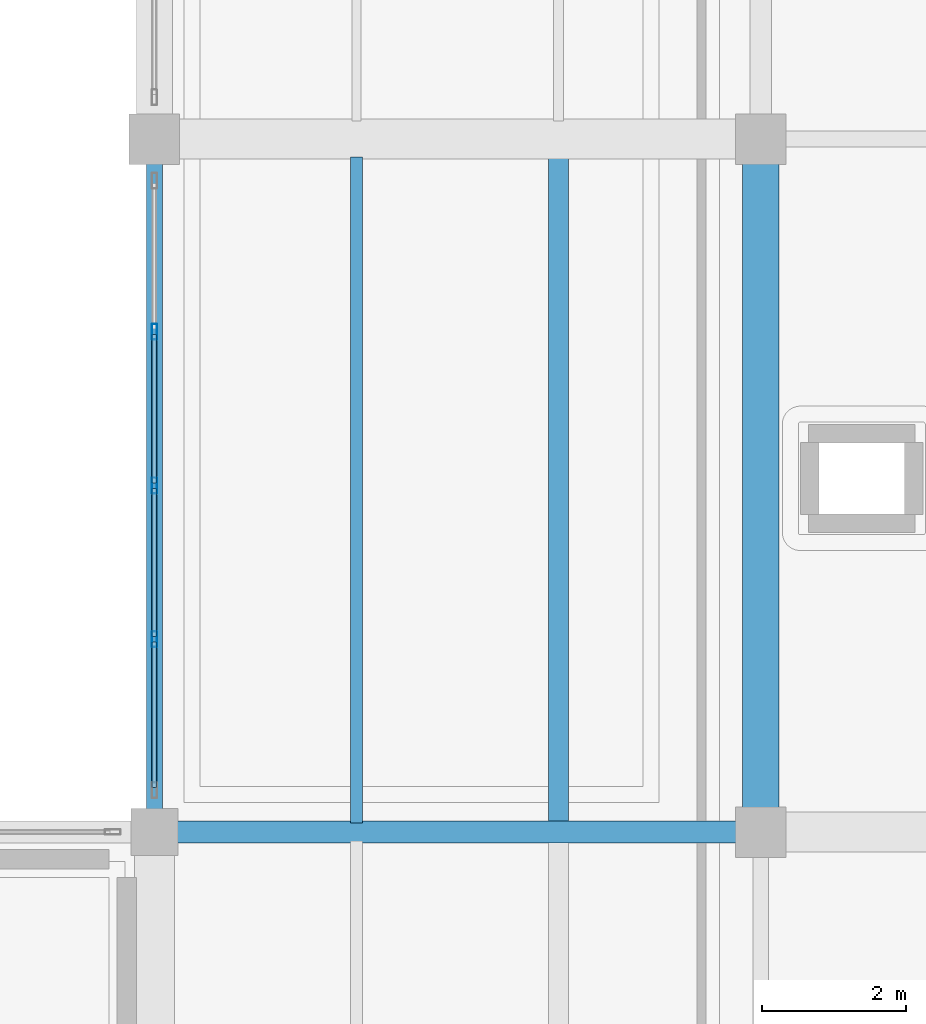
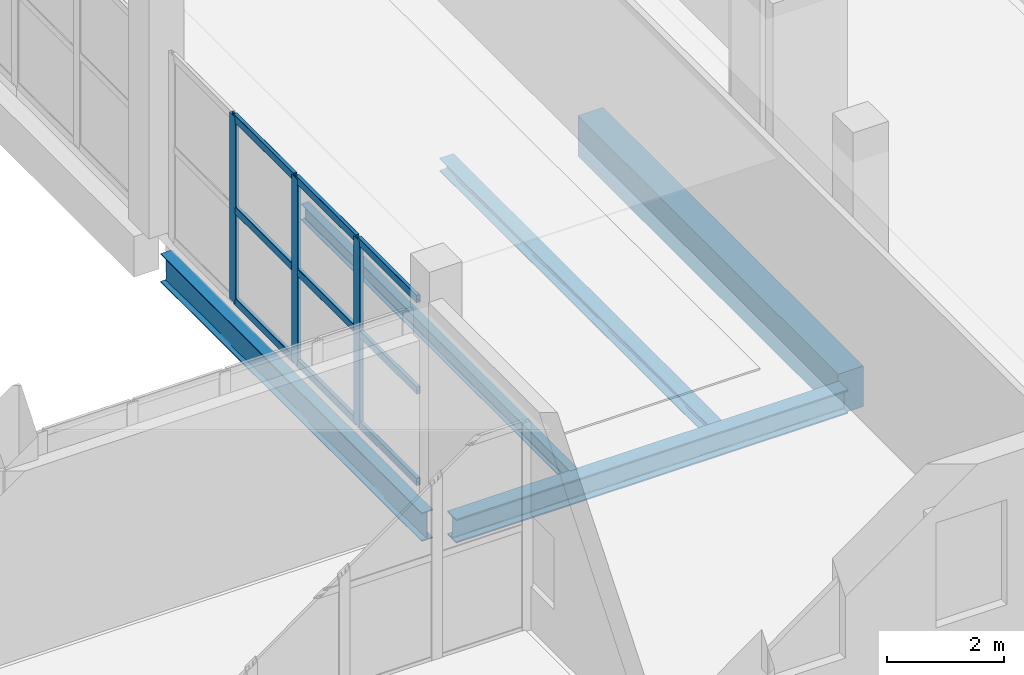
# One storey, part 23 of 73: 12 members, 5 beams, 1 element without a shape of its own.
"""IFC4 building model written with IfcOpenShell, lengths in metres."""

import ifcopenshell
import ifcopenshell.guid

model = None  # the IFC model being written
_history = None  # IfcOwnerHistory: only IFC2X3 demands one
_inside = {}  # id of a spatial element -> (the spatial element, [elements in it])
_under = {}  # id of a project, library or spatial element -> (it, [spatial elements below it])
_declared = {}  # id of a project -> (the project, [libraries it declares])
_typed = {}  # id of a type object -> (the type object, [elements of that type])
_made_of = {}  # id of a material, layer set ... -> (it, [elements and type objects made of it])


def new_model(schema):
    """Start an empty IFC model of exactly this schema.

    Asked for "IFC4X3", IfcOpenShell would pick the latest addendum, in which some entities
    have other attributes; the version numbers below select the first issue.
    IFC2X3 requires an IfcOwnerHistory on every rooted entity: one is made here for all.
    """
    global model, _history
    if schema == "IFC4X3":
        model = ifcopenshell.file(schema_version=(4, 3, 0, 0))
    else:
        model = ifcopenshell.file(schema=schema)
    _inside.clear()
    _under.clear()
    _declared.clear()
    _typed.clear()
    _made_of.clear()
    _history = None
    if model.schema == "IFC2X3":
        org = make("IfcOrganization", Name="unknown")
        user = make(
            "IfcPersonAndOrganization",
            ThePerson=make("IfcPerson", FamilyName="unknown"),
            TheOrganization=org,
        )
        app = make(
            "IfcApplication",
            ApplicationDeveloper=org,
            Version="unknown",
            ApplicationFullName="unknown",
            ApplicationIdentifier="unknown",
        )
        _history = make(
            "IfcOwnerHistory",
            OwningUser=user,
            OwningApplication=app,
            ChangeAction="ADDED",
            CreationDate=0,
        )
    return model


def make(cls, **values):
    """One entity of the class cls with the attributes given. An attribute that is None is left unset."""
    return model.create_entity(
        cls, **{name: value for name, value in values.items() if value is not None}
    )


def rooted(cls, **values):
    """An entity with a GlobalId (a new one), such as an element, a storey or a relation."""
    return make(cls, GlobalId=ifcopenshell.guid.new(), OwnerHistory=_history, **values)


def si_unit(unit_type, name, prefix=None):
    """IfcSIUnit, for example si_unit("LENGTHUNIT", "METRE", prefix="MILLI")."""
    return make("IfcSIUnit", UnitType=unit_type, Prefix=prefix, Name=name)


def assignment(units):
    """IfcUnitAssignment: the units of a project."""
    return None if units is None else make("IfcUnitAssignment", Units=units)


def point(xyz):
    """IfcCartesianPoint."""
    return None if xyz is None else make("IfcCartesianPoint", Coordinates=xyz)


def direction(xyz):
    """IfcDirection."""
    return None if xyz is None else make("IfcDirection", DirectionRatios=xyz)


def frame(location, z_axis=None, x_axis=None):
    """IfcAxis2Placement3D, a coordinate frame: its origin and axes. An axis left out is left unset."""
    return make(
        "IfcAxis2Placement3D",
        Location=point(location),
        Axis=direction(z_axis),
        RefDirection=direction(x_axis),
    )


def frame_2d(location, x_axis=None):
    """IfcAxis2Placement2D, a coordinate frame in the plane: its origin and x axis."""
    return make(
        "IfcAxis2Placement2D", Location=point(location), RefDirection=direction(x_axis)
    )


def origin():
    """The frame at (0, 0, 0) with its axes left unset."""
    return frame((0.0, 0.0, 0.0))


def origin_2d():
    """The frame at (0, 0) in the plane with its x axis left unset."""
    return frame_2d((0.0, 0.0))


def place(relative_to, where):
    """IfcLocalPlacement: puts the frame where relative to a parent placement (None: the world)."""
    return make(
        "IfcLocalPlacement", PlacementRelTo=relative_to, RelativePlacement=where
    )


def context(
    kind, dimensions, precision=None, world=None, true_north=None, identifier=None
):
    """IfcGeometricRepresentationContext, for example the 3D "Model" context."""
    return make(
        "IfcGeometricRepresentationContext",
        ContextIdentifier=identifier,
        ContextType=kind,
        CoordinateSpaceDimension=dimensions,
        Precision=precision,
        WorldCoordinateSystem=world,
        TrueNorth=true_north,
    )


def subcontext(parent, identifier, kind, view, scale=None):
    """IfcGeometricRepresentationSubContext, for example "Body" below "Model"."""
    return make(
        "IfcGeometricRepresentationSubContext",
        ContextIdentifier=identifier,
        ContextType=kind,
        ParentContext=parent,
        TargetScale=scale,
        TargetView=view,
    )


def project(units=None, contexts=None):
    """IfcProject with its units and contexts."""
    return rooted(
        "IfcProject",
        Name="project",
        RepresentationContexts=contexts,
        UnitsInContext=assignment(units),
    )


def spatial(cls, under=None, at=None, **own):
    """A site, building, storey or space (cls), placed at a placement, below another one or the project."""
    s = rooted(cls, ObjectPlacement=at, **own)
    if under is not None:
        _under.setdefault(under.id(), (under, []))[1].append(s)
    return s


def profile(cls, at=None, kind="AREA", **sizes):
    """A parametric profile (cls). Its sizes go by their IFC names, for example OverallWidth=200.0."""
    return make(cls, ProfileType=kind, Position=at, **sizes)


def rectangle(**sizes):
    """IfcRectangleProfileDef."""
    return profile("IfcRectangleProfileDef", **sizes)


def hollow_rectangle(**sizes):
    """IfcRectangleHollowProfileDef."""
    return profile("IfcRectangleHollowProfileDef", **sizes)


def i_section(**sizes):
    """IfcIShapeProfileDef."""
    return profile("IfcIShapeProfileDef", **sizes)


def extrude(swept, where, along, depth):
    """IfcExtrudedAreaSolid: the profile swept, set in the frame where, extruded along a direction by depth."""
    return make(
        "IfcExtrudedAreaSolid",
        SweptArea=swept,
        Position=where,
        ExtrudedDirection=direction(along),
        Depth=depth,
    )


def shape(context_of_items, identifier, shape_type, items):
    """IfcShapeRepresentation: the items that make up one representation, for example the "Body"."""
    return make(
        "IfcShapeRepresentation",
        ContextOfItems=context_of_items,
        RepresentationIdentifier=identifier,
        RepresentationType=shape_type,
        Items=items,
    )


def material(Name=None, Category=None):
    """IfcMaterial."""
    return make("IfcMaterial", Name=Name, Category=Category)


def layer(
    of_material, thickness, ventilated=None, Name=None, Category=None, Priority=None
):
    """IfcMaterialLayer: one layer of a wall or slab, of a material (None: an air gap)."""
    return make(
        "IfcMaterialLayer",
        Material=of_material,
        LayerThickness=thickness,
        IsVentilated=ventilated,
        Name=Name,
        Category=Category,
        Priority=Priority,
    )


def layer_set(layers, Name=None):
    """IfcMaterialLayerSet."""
    return make("IfcMaterialLayerSet", MaterialLayers=layers, LayerSetName=Name)


def material_profile(
    of_material, cross_section, Name=None, Category=None, Priority=None
):
    """IfcMaterialProfile: a cross section and its material."""
    return make(
        "IfcMaterialProfile",
        Name=Name,
        Material=of_material,
        Profile=cross_section,
        Priority=Priority,
        Category=Category,
    )


def profile_set(profiles, Name=None, composite=None):
    """IfcMaterialProfileSet."""
    return make(
        "IfcMaterialProfileSet",
        Name=Name,
        MaterialProfiles=profiles,
        CompositeProfile=composite,
    )


def made_of(thing, what):
    """Note that an element or type object is made of a material, layer set ...; save() writes the relation."""
    if what is not None:
        _made_of.setdefault(what.id(), (what, []))[1].append(thing)
    return thing


def type_object(cls, material=None, **own):
    """A type object (cls), such as IfcWallType, which elements share."""
    return made_of(rooted(cls, **own), material)


def element(
    cls,
    number,
    at=None,
    inside=None,
    cuts=None,
    type_object=None,
    material=None,
    context=None,
    identifier="Body",
    shape_type=None,
    held_by="IfcProductDefinitionShape",
    body=None,
    shapes=None,
    **own,
):
    """One element of the class cls, such as IfcWall. Its Tag is "e" and its number.

    at: its placement. inside: the storey or other place that contains it. cuts: it is an
    opening in that element (IfcRelVoidsElement). A single representation is given by context,
    identifier, shape_type and body (its items); several are given by shapes. held_by: the class
    of the entity that holds the representations. save() writes the other relations.
    """
    e = rooted(cls, Tag="e%d" % number, ObjectPlacement=at, **own)
    if body is not None:
        shapes = [shape(context, identifier, shape_type, body)]
    if shapes is not None:
        e.Representation = make(held_by, Representations=shapes)
    if inside is not None:
        _inside.setdefault(inside.id(), (inside, []))[1].append(e)
    if cuts is not None:
        rooted(
            "IfcRelVoidsElement", RelatingBuildingElement=cuts, RelatedOpeningElement=e
        )
    if type_object is not None:
        _typed.setdefault(type_object.id(), (type_object, []))[1].append(e)
    return made_of(e, material)


def aggregate(whole, parts):
    """IfcRelAggregates: a whole, such as a stair, and the parts it consists of."""
    return rooted("IfcRelAggregates", RelatingObject=whole, RelatedObjects=parts)


def save(model, path):
    """Write the relations noted so far, then the file.

    IfcRelAggregates (storeys below a building ...), IfcRelContainedInSpatialStructure (elements
    in a storey), IfcRelDefinesByType, IfcRelAssociatesMaterial and IfcRelDeclares: one each for
    every whole, place, type object, material and project.
    """
    for whole, parts in _under.values():
        aggregate(whole, parts)
    for where, things in _inside.values():
        rooted(
            "IfcRelContainedInSpatialStructure",
            RelatedElements=things,
            RelatingStructure=where,
        )
    for kind, things in _typed.values():
        rooted("IfcRelDefinesByType", RelatedObjects=things, RelatingType=kind)
    for what, things in _made_of.values():
        rooted("IfcRelAssociatesMaterial", RelatedObjects=things, RelatingMaterial=what)
    for by, libraries in _declared.values():
        rooted("IfcRelDeclares", RelatingContext=by, RelatedDefinitions=libraries)
    model.write(path)


model = new_model("IFC4")

# Units and contexts
model_context = context("Model", 3, precision=1e-05, world=origin(), true_north=direction((0.0, 1.0)))
body_context = subcontext(model_context, "Body", "Model", "MODEL_VIEW")
ifc_project = project(units=[si_unit("LENGTHUNIT", "METRE"), si_unit("AREAUNIT", "SQUARE_METRE"), si_unit("VOLUMEUNIT", "CUBIC_METRE"), si_unit("PLANEANGLEUNIT", "RADIAN"), si_unit("MASSUNIT", "GRAM", prefix="KILO")], contexts=[model_context])

# Site, building, storey
site_placement = place(None, origin())
site = spatial("IfcSite", under=ifc_project, at=site_placement, CompositionType="ELEMENT")
building_placement = place(site_placement, origin())
building = spatial("IfcBuilding", under=site, at=building_placement, Name="Zulmaris Art Gallery", CompositionType="ELEMENT")
storey_placement = place(building_placement, frame((0.0, 0.0, 10.5)))
storey = spatial("IfcBuildingStorey", under=building, at=storey_placement, Name="L02", CompositionType="ELEMENT", Elevation=10.5)

# Beams
ifc_material_1 = material(Name="Steel S355J2", Category="steel")
ifc_material_profile_1 = material_profile(ifc_material_1, i_section(OverallWidth=0.219970703125, OverallDepth=0.60009765625, WebThickness=0.011962890625, FlangeThickness=0.01904296875, FilletRadius=0.02392578125, at=origin_2d()), Name="IPE 600")
ifc_profile_set_1 = profile_set([ifc_material_profile_1], Name="Steel S355J2")
beam_type_1 = type_object("IfcBeamType", Name="BEAM-BM07", PredefinedType="BEAM", material=ifc_profile_set_1)
beam_1_placement = place(storey_placement, frame((124.800048828125, 21.909912109375, -0.695068359375), z_axis=(0.0, 1.0, 0.0), x_axis=(-1.0, 0.0, 0.0)))
element("IfcBeam", 1, at=beam_1_placement, inside=storey, type_object=beam_type_1, Name="L02 Y-girder (x=124.8, 21.6..31.2)", PredefinedType="BEAM", context=body_context, shape_type="SweptSolid", body=[
    extrude(i_section(OverallWidth=0.219970703125, OverallDepth=0.60009765625, WebThickness=0.011962890625, FlangeThickness=0.01904296875, FilletRadius=0.02392578125, at=origin_2d()), origin(), (0.0, 0.0, 1.0), 8.955078125),
])
ifc_material_profile_2 = material_profile(ifc_material_1, i_section(OverallWidth=0.300048828125, OverallDepth=0.5, WebThickness=0.014404296875, FlangeThickness=0.028076171875, FilletRadius=0.027099609375, at=origin_2d()), Name="HEB 500")
ifc_profile_set_2 = profile_set([ifc_material_profile_2], Name="Steel S355J2")
beam_type_2 = type_object("IfcBeamType", Name="BEAM-BM14", PredefinedType="BEAM", material=ifc_profile_set_2)
beam_2_placement = place(storey_placement, frame((125.110107421875, 21.60009765625, -0.64990234375), z_axis=(1.0, 0.0, 0.0), x_axis=(0.0, 1.0, 0.0)))
element("IfcBeam", 2, at=beam_2_placement, inside=storey, type_object=beam_type_2, Name="L02 X-girder (124.8..133.2, y=21.6)", PredefinedType="BEAM", context=body_context, shape_type="SweptSolid", body=[
    extrude(i_section(OverallWidth=0.300048828125, OverallDepth=0.5, WebThickness=0.014404296875, FlangeThickness=0.028076171875, FilletRadius=0.027099609375, at=origin_2d()), origin(), (0.0, 0.0, 1.0), 7.7548828125),
])
ifc_material_2 = material(Name="Concrete C40/50", Category="concrete")
ifc_material_profile_3 = material_profile(ifc_material_2, rectangle(XDim=0.5, YDim=0.85009765625, at=origin_2d()), Name="RC 500x850")
ifc_profile_set_3 = profile_set([ifc_material_profile_3], Name="Concrete C40/50")
beam_type_3 = type_object("IfcBeamType", Name="BEAM-BM26", PredefinedType="BEAM", material=ifc_profile_set_3)
beam_3_placement = place(storey_placement, frame((133.199951171875, 21.93505859375, -0.824951171875), z_axis=(0.0, 1.0, 0.0), x_axis=(-1.0, 0.0, 0.0)))
element("IfcBeam", 3, at=beam_3_placement, inside=storey, type_object=beam_type_3, Name="L02 Y-girder (x=133.2, 21.6..31.2)", PredefinedType="BEAM", context=body_context, shape_type="SweptSolid", body=[
    extrude(rectangle(XDim=0.5, YDim=0.85009765625, at=origin_2d()), origin(), (0.0, 0.0, 1.0), 8.929931640625),
])
ifc_material_profile_4 = material_profile(ifc_material_1, i_section(OverallWidth=0.159912109375, OverallDepth=0.330078125, WebThickness=0.007568359375, FlangeThickness=0.011474609375, FilletRadius=0.01806640625, at=origin_2d()), Name="IPE 330")
ifc_profile_set_4 = profile_set([ifc_material_profile_4], Name="Steel S355J2")
beam_type_4 = type_object("IfcBeamType", Name="BEAM-JS03", PredefinedType="JOIST", material=ifc_profile_set_4)
beam_4_placement = place(storey_placement, frame((127.60009765625, 21.72509765625, -0.56494140625), z_axis=(0.0, 1.0, 0.0), x_axis=(-1.0, 0.0, 0.0)))
element("IfcBeam", 4, at=beam_4_placement, inside=storey, type_object=beam_type_4, Name="L02 secondary joist at x=127.6", PredefinedType="JOIST", context=body_context, shape_type="SweptSolid", body=[
    extrude(i_section(OverallWidth=0.159912109375, OverallDepth=0.330078125, WebThickness=0.007568359375, FlangeThickness=0.011474609375, FilletRadius=0.01806640625, at=origin_2d()), origin(), (0.0, 0.0, 1.0), 9.224853515625),
])
ifc_material_profile_5 = material_profile(ifc_material_1, i_section(OverallWidth=0.280029296875, OverallDepth=0.27001953125, WebThickness=0.008056640625, FlangeThickness=0.012939453125, FilletRadius=0.02392578125, at=origin_2d()), Name="HEA 280")
ifc_profile_set_5 = profile_set([ifc_material_profile_5], Name="Steel S355J2")
beam_type_5 = type_object("IfcBeamType", Name="BEAM-JS04", PredefinedType="JOIST", material=ifc_profile_set_5)
beam_5_placement = place(storey_placement, frame((130.39990234375, 21.72509765625, -0.534912109375), z_axis=(0.0, 1.0, 0.0), x_axis=(-1.0, 0.0, 0.0)))
element("IfcBeam", 5, at=beam_5_placement, inside=storey, type_object=beam_type_5, Name="L02 secondary joist at x=130.4", PredefinedType="JOIST", context=body_context, shape_type="SweptSolid", body=[
    extrude(i_section(OverallWidth=0.280029296875, OverallDepth=0.27001953125, WebThickness=0.008056640625, FlangeThickness=0.012939453125, FilletRadius=0.02392578125, at=origin_2d()), origin(), (0.0, 0.0, 1.0), 9.224853515625),
])

# Curtain wall, members
ifc_material_3 = material(Name="Unitised Low-E Gallery Curtain Wall", Category="aluminium")
ifc_layer = layer(ifc_material_3, 0.179931640625)
ifc_layer_set = layer_set([ifc_layer], Name="Unitised Low-E Gallery Curtain Wall")
curtain_wall_type = type_object("IfcCurtainWallType", Name="CW-CW01", PredefinedType="NOTDEFINED", material=ifc_layer_set)
curtain_wall_placement = place(storey_placement, origin())
curtain_wall = element("IfcCurtainWall", 6, at=curtain_wall_placement, inside=storey, type_object=curtain_wall_type, Name="L02 curtain wall 110", PredefinedType="NOTDEFINED")
ifc_material_4 = material(Name="Anodised Bronze Aluminium", Category="aluminium")
ifc_material_profile_6 = material_profile(ifc_material_4, hollow_rectangle(XDim=0.074951171875, YDim=0.219970703125, WallThickness=0.0048828125, InnerFilletRadius=0.007568359375, OuterFilletRadius=0.012451171875, at=origin_2d()), Name="ALU 75x220x5")
ifc_profile_set_6 = profile_set([ifc_material_profile_6], Name="Anodised Bronze Aluminium")
member_type_1 = type_object("IfcMemberType", Name="CWMUL-02", PredefinedType="MULLION", material=ifc_profile_set_6)
member_1_placement = place(storey_placement, frame((124.800048828125, 24.27001953125, 0.0), z_axis=(0.0, 0.0, 1.0), x_axis=(-1.0, 0.0, 0.0)))
member_1 = element("IfcMember", 7, at=member_1_placement, type_object=member_type_1, Name="CW01 mullion 2", PredefinedType="MULLION", context=body_context, shape_type="SweptSolid", body=[
    extrude(hollow_rectangle(XDim=0.074951171875, YDim=0.219970703125, WallThickness=0.0048828125, InnerFilletRadius=0.007568359375, OuterFilletRadius=0.012451171875, at=origin_2d()), origin(), (0.0, 0.0, 1.0), 3.89990234375),
])
member_2_placement = place(storey_placement, frame((124.800048828125, 26.39990234375, 0.0), z_axis=(0.0, 0.0, 1.0), x_axis=(-1.0, 0.0, 0.0)))
member_2 = element("IfcMember", 8, at=member_2_placement, type_object=member_type_1, Name="CW01 mullion 3", PredefinedType="MULLION", context=body_context, shape_type="SweptSolid", body=[
    extrude(hollow_rectangle(XDim=0.074951171875, YDim=0.219970703125, WallThickness=0.0048828125, InnerFilletRadius=0.007568359375, OuterFilletRadius=0.012451171875, at=origin_2d()), origin(), (0.0, 0.0, 1.0), 3.89990234375),
])
member_3_placement = place(storey_placement, frame((124.800048828125, 28.530029296875, 0.0), z_axis=(0.0, 0.0, 1.0), x_axis=(-1.0, 0.0, 0.0)))
member_3 = element("IfcMember", 9, at=member_3_placement, type_object=member_type_1, Name="CW01 mullion 4", PredefinedType="MULLION", context=body_context, shape_type="SweptSolid", body=[
    extrude(hollow_rectangle(XDim=0.074951171875, YDim=0.219970703125, WallThickness=0.0048828125, InnerFilletRadius=0.007568359375, OuterFilletRadius=0.012451171875, at=origin_2d()), origin(), (0.0, 0.0, 1.0), 3.89990234375),
])
ifc_material_profile_7 = material_profile(ifc_material_4, hollow_rectangle(XDim=0.074951171875, YDim=0.159912109375, WallThickness=0.00390625, InnerFilletRadius=0.006103515625, OuterFilletRadius=0.010009765625, at=origin_2d()), Name="ALU 75x160x4")
ifc_profile_set_7 = profile_set([ifc_material_profile_7], Name="Anodised Bronze Aluminium")
member_type_2 = type_object("IfcMemberType", Name="CWTRN-02", PredefinedType="USERDEFINED", material=ifc_profile_set_7)
member_4_placement = place(storey_placement, frame((124.800048828125, 22.215087890625, 0.03759765625), z_axis=(0.0, 1.0, 0.0), x_axis=(-1.0, 0.0, 0.0)))
member_4 = element("IfcMember", 10, at=member_4_placement, type_object=member_type_2, Name="CW01 transom 1.1", ObjectType="TRANSOM", PredefinedType="USERDEFINED", context=body_context, shape_type="SweptSolid", body=[
    extrude(hollow_rectangle(XDim=0.074951171875, YDim=0.159912109375, WallThickness=0.00390625, InnerFilletRadius=0.006103515625, OuterFilletRadius=0.010009765625, at=origin_2d()), origin(), (0.0, 0.0, 1.0), 2.017333984375),
])
member_5_placement = place(storey_placement, frame((124.800048828125, 22.215087890625, 1.949951171875), z_axis=(0.0, 1.0, 0.0), x_axis=(-1.0, 0.0, 0.0)))
member_5 = element("IfcMember", 11, at=member_5_placement, type_object=member_type_2, Name="CW01 transom 1.2", ObjectType="TRANSOM", PredefinedType="USERDEFINED", context=body_context, shape_type="SweptSolid", body=[
    extrude(hollow_rectangle(XDim=0.074951171875, YDim=0.159912109375, WallThickness=0.00390625, InnerFilletRadius=0.006103515625, OuterFilletRadius=0.010009765625, at=origin_2d()), origin(), (0.0, 0.0, 1.0), 2.017333984375),
])
member_6_placement = place(storey_placement, frame((124.800048828125, 22.215087890625, 3.862548828125), z_axis=(0.0, 1.0, 0.0), x_axis=(-1.0, 0.0, 0.0)))
member_6 = element("IfcMember", 12, at=member_6_placement, type_object=member_type_2, Name="CW01 transom 1.3", ObjectType="TRANSOM", PredefinedType="USERDEFINED", context=body_context, shape_type="SweptSolid", body=[
    extrude(hollow_rectangle(XDim=0.074951171875, YDim=0.159912109375, WallThickness=0.00390625, InnerFilletRadius=0.006103515625, OuterFilletRadius=0.010009765625, at=origin_2d()), origin(), (0.0, 0.0, 1.0), 2.017333984375),
])
member_7_placement = place(storey_placement, frame((124.800048828125, 24.3076171875, 0.03759765625), z_axis=(0.0, 1.0, 0.0), x_axis=(-1.0, 0.0, 0.0)))
member_7 = element("IfcMember", 13, at=member_7_placement, type_object=member_type_2, Name="CW01 transom 2.1", ObjectType="TRANSOM", PredefinedType="USERDEFINED", context=body_context, shape_type="SweptSolid", body=[
    extrude(hollow_rectangle(XDim=0.074951171875, YDim=0.159912109375, WallThickness=0.00390625, InnerFilletRadius=0.006103515625, OuterFilletRadius=0.010009765625, at=origin_2d()), origin(), (0.0, 0.0, 1.0), 2.054931640625),
])
member_8_placement = place(storey_placement, frame((124.800048828125, 24.3076171875, 1.949951171875), z_axis=(0.0, 1.0, 0.0), x_axis=(-1.0, 0.0, 0.0)))
member_8 = element("IfcMember", 14, at=member_8_placement, type_object=member_type_2, Name="CW01 transom 2.2", ObjectType="TRANSOM", PredefinedType="USERDEFINED", context=body_context, shape_type="SweptSolid", body=[
    extrude(hollow_rectangle(XDim=0.074951171875, YDim=0.159912109375, WallThickness=0.00390625, InnerFilletRadius=0.006103515625, OuterFilletRadius=0.010009765625, at=origin_2d()), origin(), (0.0, 0.0, 1.0), 2.054931640625),
])
member_9_placement = place(storey_placement, frame((124.800048828125, 24.3076171875, 3.862548828125), z_axis=(0.0, 1.0, 0.0), x_axis=(-1.0, 0.0, 0.0)))
member_9 = element("IfcMember", 15, at=member_9_placement, type_object=member_type_2, Name="CW01 transom 2.3", ObjectType="TRANSOM", PredefinedType="USERDEFINED", context=body_context, shape_type="SweptSolid", body=[
    extrude(hollow_rectangle(XDim=0.074951171875, YDim=0.159912109375, WallThickness=0.00390625, InnerFilletRadius=0.006103515625, OuterFilletRadius=0.010009765625, at=origin_2d()), origin(), (0.0, 0.0, 1.0), 2.054931640625),
])
member_10_placement = place(storey_placement, frame((124.800048828125, 26.4375, 0.03759765625), z_axis=(0.0, 1.0, 0.0), x_axis=(-1.0, 0.0, 0.0)))
member_10 = element("IfcMember", 16, at=member_10_placement, type_object=member_type_2, Name="CW01 transom 3.1", ObjectType="TRANSOM", PredefinedType="USERDEFINED", context=body_context, shape_type="SweptSolid", body=[
    extrude(hollow_rectangle(XDim=0.074951171875, YDim=0.159912109375, WallThickness=0.00390625, InnerFilletRadius=0.006103515625, OuterFilletRadius=0.010009765625, at=origin_2d()), origin(), (0.0, 0.0, 1.0), 2.054931640625),
])
member_11_placement = place(storey_placement, frame((124.800048828125, 26.4375, 1.949951171875), z_axis=(0.0, 1.0, 0.0), x_axis=(-1.0, 0.0, 0.0)))
member_11 = element("IfcMember", 17, at=member_11_placement, type_object=member_type_2, Name="CW01 transom 3.2", ObjectType="TRANSOM", PredefinedType="USERDEFINED", context=body_context, shape_type="SweptSolid", body=[
    extrude(hollow_rectangle(XDim=0.074951171875, YDim=0.159912109375, WallThickness=0.00390625, InnerFilletRadius=0.006103515625, OuterFilletRadius=0.010009765625, at=origin_2d()), origin(), (0.0, 0.0, 1.0), 2.054931640625),
])
member_12_placement = place(storey_placement, frame((124.800048828125, 26.4375, 3.862548828125), z_axis=(0.0, 1.0, 0.0), x_axis=(-1.0, 0.0, 0.0)))
member_12 = element("IfcMember", 18, at=member_12_placement, type_object=member_type_2, Name="CW01 transom 3.3", ObjectType="TRANSOM", PredefinedType="USERDEFINED", context=body_context, shape_type="SweptSolid", body=[
    extrude(hollow_rectangle(XDim=0.074951171875, YDim=0.159912109375, WallThickness=0.00390625, InnerFilletRadius=0.006103515625, OuterFilletRadius=0.010009765625, at=origin_2d()), origin(), (0.0, 0.0, 1.0), 2.054931640625),
])
aggregate(curtain_wall, [member_1, member_2, member_3, member_4, member_5, member_6, member_7, member_8, member_9, member_10, member_11, member_12])

save(model, "model.ifc")
